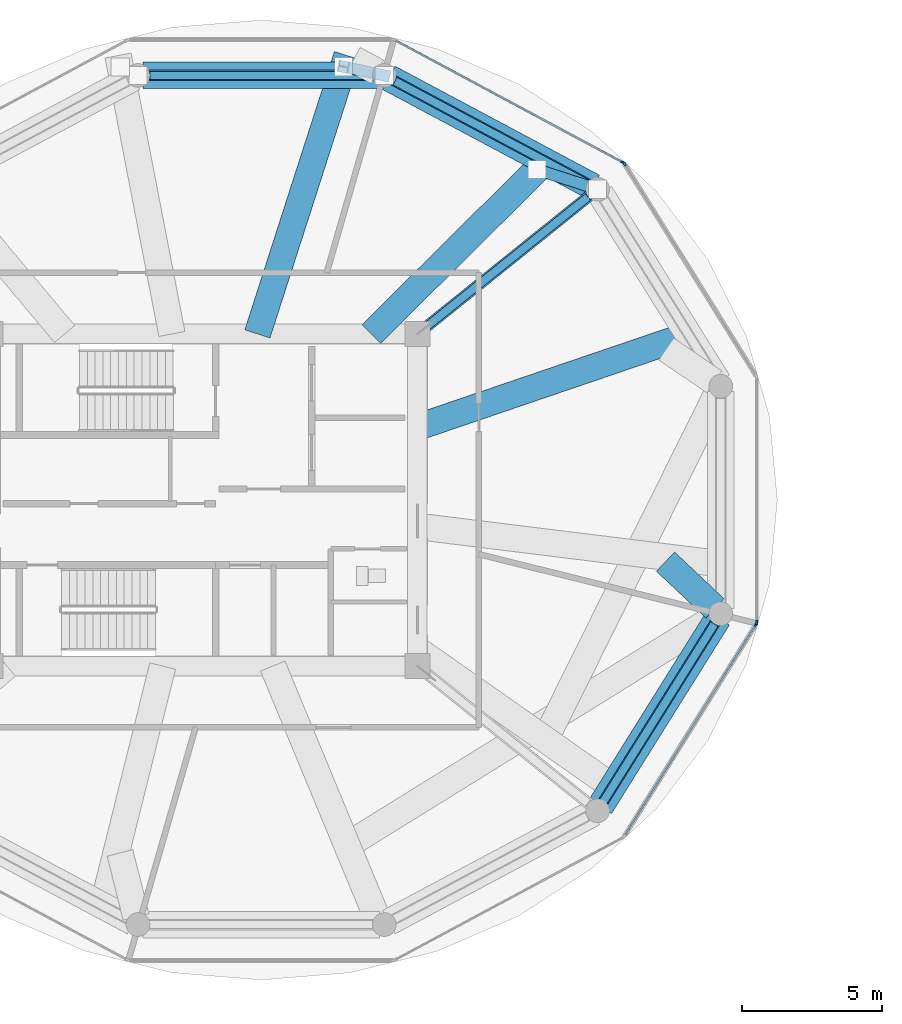
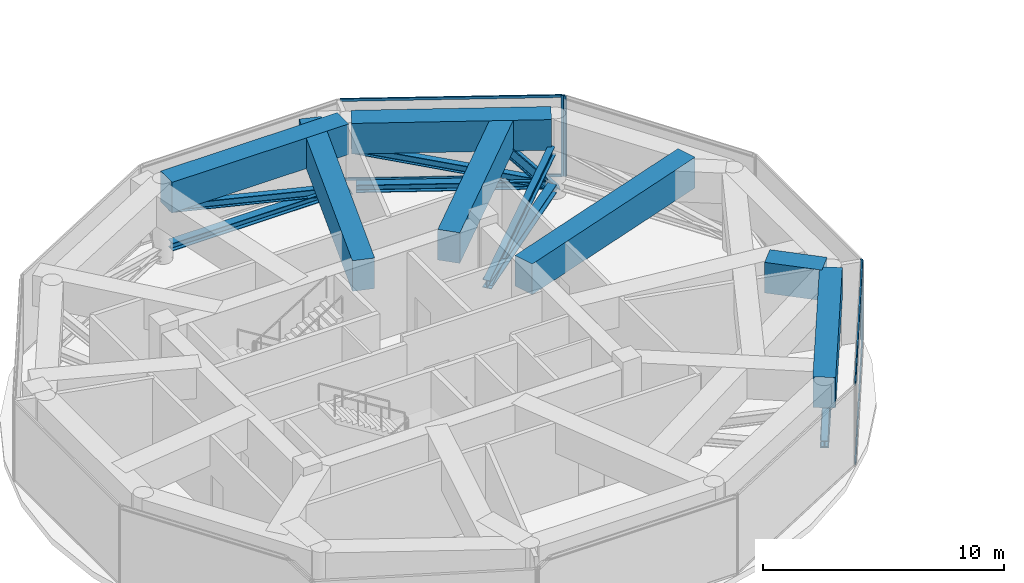
# One storey, part 5 of 23: 18 members, 7 beams, 4 elements without a shape of their own.
"""IFC4 building model written with IfcOpenShell, lengths in metres."""

from ifc_helpers import new_model, si_unit, direction, frame, origin, origin_2d, place, context, subcontext, project, spatial, rectangle, i_section, extrude, source, transform, mapped, material, layer, layer_set, material_profile, profile_set, type_object, type_shapes, element, aggregate, save


model = new_model("IFC4")

# Units and contexts
model_context = context("Model", 3, precision=1e-05, world=origin(), true_north=direction((0.0, 1.0)))
body_context = subcontext(model_context, "Body", "Model", "MODEL_VIEW")
ifc_project = project(units=[si_unit("LENGTHUNIT", "METRE"), si_unit("AREAUNIT", "SQUARE_METRE"), si_unit("VOLUMEUNIT", "CUBIC_METRE"), si_unit("PLANEANGLEUNIT", "RADIAN"), si_unit("MASSUNIT", "GRAM", prefix="KILO")], contexts=[model_context])

# Site, building, storey
site_placement = place(None, origin())
site = spatial("IfcSite", under=ifc_project, at=site_placement, CompositionType="ELEMENT")
building_placement = place(site_placement, origin())
building = spatial("IfcBuilding", under=site, at=building_placement, Name="Norrkilde Senior Care Towers", CompositionType="ELEMENT")
storey_placement = place(building_placement, frame((0.0, 0.0, 129.800048828125)))
storey = spatial("IfcBuildingStorey", under=building, at=storey_placement, Name="L40", CompositionType="ELEMENT", Elevation=129.800048828125)

# Beams
ifc_material_1 = material(Name="Concrete C60/75", Category="concrete")
ifc_material_profile_1 = material_profile(ifc_material_1, rectangle(XDim=0.949951171875, YDim=1.550048828125, at=origin_2d()), Name="RC TG 950x1550")
ifc_profile_set_1 = profile_set([ifc_material_profile_1], Name="Concrete C60/75")
beam_type = type_object("IfcBeamType", Name="Transfer Girder Zone Shift 950x1550", PredefinedType="USERDEFINED", material=ifc_profile_set_1)
shared_shape_1 = source(origin(), body_context, "Body", "SweptSolid", [
    extrude(rectangle(XDim=0.949951171875, YDim=1.550048828125, at=origin_2d()), origin(), (0.0, 0.0, 1.0), 7.966064453125),
])
beam_1_placement = place(storey_placement, frame((-13.79833984375, -10.984375, 3.304931640625), z_axis=(0.529982411064, 0.848008634368, 0.0), x_axis=(-0.848008634368, 0.529982411064, 0.0)))
element("IfcBeam", 1, at=beam_1_placement, inside=storey, type_object=beam_type, Name="L40 Drum W Zone Ring Transfer Girder 11", ObjectType="GIRDER", PredefinedType="USERDEFINED", context=body_context, shape_type="MappedRepresentation", body=[
    mapped(shared_shape_1, transform((0.0, 0.0, 0.0), x_axis=(1.0, 0.0, 0.0), y_axis=(0.0, 1.0, 0.0), z_axis=(0.0, 0.0, 1.0), scale=1.0)),
])
shared_shape_2 = source(origin(), body_context, "Body", "SweptSolid", [
    extrude(rectangle(XDim=0.949951171875, YDim=1.550048828125, at=origin_2d()), origin(), (0.0, 0.0, 1.0), 8.302490234375),
])
beam_2_placement = place(storey_placement, frame((-14.052734375, 11.2216796875, 3.304931640625), z_axis=(-0.882355383182, 0.470583656504, 0.0), x_axis=(-0.470583656504, -0.882355383182, 0.0)))
element("IfcBeam", 2, at=beam_2_placement, inside=storey, type_object=beam_type, Name="L40 Drum W Zone Ring Transfer Girder 02", ObjectType="GIRDER", PredefinedType="USERDEFINED", context=body_context, shape_type="MappedRepresentation", body=[
    mapped(shared_shape_2, transform((0.0, 0.0, 0.0), x_axis=(1.0, 0.0, 0.0), y_axis=(0.0, 1.0, 0.0), z_axis=(0.0, 0.0, 1.0), scale=1.0)),
])
shared_shape_3 = source(origin(), body_context, "Body", "SweptSolid", [
    extrude(rectangle(XDim=0.949951171875, YDim=1.550048828125, at=origin_2d()), origin(), (0.0, 0.0, 1.0), 8.4658203125),
])
beam_3_placement = place(storey_placement, frame((-21.717041015625, 15.21337890625, 3.304931640625), z_axis=(-1.0, 0.0, 0.0), x_axis=(0.0, -1.0, 0.0)))
element("IfcBeam", 3, at=beam_3_placement, inside=storey, type_object=beam_type, Name="L40 Drum W Zone Ring Transfer Girder 03", ObjectType="GIRDER", PredefinedType="USERDEFINED", context=body_context, shape_type="MappedRepresentation", body=[
    mapped(shared_shape_3, transform((0.0, 0.0, 0.0), x_axis=(1.0, 0.0, 0.0), y_axis=(0.0, 1.0, 0.0), z_axis=(0.0, 0.0, 1.0), scale=1.0)),
])
shared_shape_4 = source(origin(), body_context, "Body", "SweptSolid", [
    extrude(rectangle(XDim=0.949951171875, YDim=1.550048828125, at=origin_2d()), origin(), (0.0, 0.0, 1.0), 10.266357421875),
])
beam_4_placement = place(storey_placement, frame((-20.35009765625, 2.607177734375, 3.304931640625), z_axis=(0.946540721316, 0.32258435004, 0.0), x_axis=(-0.32258435004, 0.946540721316, 0.0)))
element("IfcBeam", 4, at=beam_4_placement, inside=storey, type_object=beam_type, Name="L40 Drum W Zone Transfer Girder 01", ObjectType="GIRDER", PredefinedType="USERDEFINED", context=body_context, shape_type="MappedRepresentation", body=[
    mapped(shared_shape_4, transform((0.0, 0.0, 0.0), x_axis=(1.0, 0.0, 0.0), y_axis=(0.0, 1.0, 0.0), z_axis=(0.0, 0.0, 1.0), scale=1.0)),
])
shared_shape_5 = source(origin(), body_context, "Body", "SweptSolid", [
    extrude(rectangle(XDim=0.949951171875, YDim=1.550048828125, at=origin_2d()), origin(), (0.0, 0.0, 1.0), 8.783203125),
])
beam_5_placement = place(storey_placement, frame((-22.001953125, 5.949951171875, 3.304931640625), z_axis=(0.7099501815, 0.704251900806, 0.0), x_axis=(-0.704251900806, 0.7099501815, 0.0)))
element("IfcBeam", 5, at=beam_5_placement, inside=storey, type_object=beam_type, Name="L40 Drum W Zone Transfer Girder 02", ObjectType="GIRDER", PredefinedType="USERDEFINED", context=body_context, shape_type="MappedRepresentation", body=[
    mapped(shared_shape_5, transform((0.0, 0.0, 0.0), x_axis=(1.0, 0.0, 0.0), y_axis=(0.0, 1.0, 0.0), z_axis=(0.0, 0.0, 1.0), scale=1.0)),
])

# Member
ifc_material_2 = material(Name="Steel S355", Category="steel")
ifc_material_profile_2 = material_profile(ifc_material_2, i_section(OverallWidth=0.412109375, OverallDepth=0.449951171875, WebThickness=0.028076171875, FlangeThickness=0.044921875, FilletRadius=0.014892578125, at=origin_2d()), Name="HD 400x509")
ifc_profile_set_2 = profile_set([ifc_material_profile_2], Name="Steel S355")
member_type_1 = type_object("IfcMemberType", Name="Pratt Bridge Truss Diagonal HD400x509", PredefinedType="BRACE", material=ifc_profile_set_2)
shared_shape_6 = source(origin(), body_context, "Body", "SweptSolid", [
    extrude(i_section(OverallWidth=0.412109375, OverallDepth=0.449951171875, WebThickness=0.028076171875, FlangeThickness=0.044921875, FilletRadius=0.014892578125, at=origin_2d()), origin(), (0.0, 0.0, 1.0), 3.51953125),
])
member_1_placement = place(storey_placement, frame((-13.893798828125, 11.136962890625, 0.14990234375), z_axis=(-0.61672748516, 0.199702893913, 0.761423642403), x_axis=(-0.308062436347, -0.951366141563, 0.0)))
element("IfcMember", 6, at=member_1_placement, inside=storey, type_object=member_type_1, Name="L40 Drum W Zone Transfer Raking Strut 02", PredefinedType="BRACE", context=body_context, shape_type="MappedRepresentation", body=[
    mapped(shared_shape_6, transform((0.0, 0.0, 0.0), x_axis=(1.0, 0.0, 0.0), y_axis=(0.0, 1.0, 0.0), z_axis=(0.0, 0.0, 1.0), scale=1.0)),
])

# Beam
shared_shape_7 = source(origin(), body_context, "Body", "SweptSolid", [
    extrude(rectangle(XDim=0.949951171875, YDim=1.550048828125, at=origin_2d()), origin(), (0.0, 0.0, 1.0), 10.48046875),
])
beam_6_placement = place(storey_placement, frame((-26.08447265625, 5.949951171875, 3.304931640625), z_axis=(0.306441217665, 0.951889583994, 0.0), x_axis=(-0.951889583994, 0.306441217665, 0.0)))
element("IfcBeam", 7, at=beam_6_placement, inside=storey, type_object=beam_type, Name="L40 Drum W Zone Transfer Girder 03", ObjectType="GIRDER", PredefinedType="USERDEFINED", context=body_context, shape_type="MappedRepresentation", body=[
    mapped(shared_shape_7, transform((0.0, 0.0, 0.0), x_axis=(1.0, 0.0, 0.0), y_axis=(0.0, 1.0, 0.0), z_axis=(0.0, 0.0, 1.0), scale=1.0)),
])

# Member
shared_shape_8 = source(origin(), body_context, "Body", "SweptSolid", [
    extrude(i_section(OverallWidth=0.412109375, OverallDepth=0.449951171875, WebThickness=0.028076171875, FlangeThickness=0.044921875, FilletRadius=0.014892578125, at=origin_2d()), origin(), (0.0, 0.0, 1.0), 3.06982421875),
])
type_shapes(member_type_1, [shared_shape_6, shared_shape_8])
member_2_placement = place(storey_placement, frame((-21.537109375, 15.21337890625, 0.14990234375), z_axis=(-0.477003120663, 0.101953651332, 0.872968198652), x_axis=(-0.209016876779, -0.977912033478, 0.0)))
element("IfcMember", 8, at=member_2_placement, inside=storey, type_object=member_type_1, Name="L40 Drum W Zone Transfer Raking Strut 03", PredefinedType="BRACE", context=body_context, shape_type="MappedRepresentation", body=[
    mapped(shared_shape_8, transform((0.0, 0.0, 0.0), x_axis=(1.0, 0.0, 0.0), y_axis=(0.0, 1.0, 0.0), z_axis=(0.0, 0.0, 1.0), scale=1.0)),
])

# Beam
shared_shape_9 = source(origin(), body_context, "Body", "SweptSolid", [
    extrude(rectangle(XDim=0.949951171875, YDim=1.550048828125, at=origin_2d()), origin(), (0.0, 0.0, 1.0), 2.4423828125),
])
type_shapes(beam_type, [shared_shape_1, shared_shape_2, shared_shape_3, shared_shape_4, shared_shape_5, shared_shape_7, shared_shape_9])
beam_7_placement = place(storey_placement, frame((-11.46142578125, -2.20849609375, 3.304931640625), z_axis=(0.727495316015, -0.686112647585, 0.0), x_axis=(0.686112647585, 0.727495316015, 0.0)))
element("IfcBeam", 9, at=beam_7_placement, inside=storey, type_object=beam_type, Name="L40 Drum W Zone Star Transfer Tie 12", ObjectType="GIRDER", PredefinedType="USERDEFINED", context=body_context, shape_type="MappedRepresentation", body=[
    mapped(shared_shape_9, transform((0.0, 0.0, 0.0), x_axis=(1.0, 0.0, 0.0), y_axis=(0.0, 1.0, 0.0), z_axis=(0.0, 0.0, 1.0), scale=1.0)),
])

# Members
ifc_material_profile_3 = material_profile(ifc_material_2, i_section(OverallWidth=0.3740234375, OverallDepth=0.386962890625, WebThickness=0.01611328125, FlangeThickness=0.027099609375, FilletRadius=0.014892578125, at=origin_2d()), Name="HD 360x262")
ifc_profile_set_3 = profile_set([ifc_material_profile_3], Name="Steel S355")
member_type_2 = type_object("IfcMemberType", Name="Belt Truss Ring Chord HD360x262", PredefinedType="CHORD", material=ifc_profile_set_3)
shared_shape_10 = source(origin(), body_context, "Body", "SweptSolid", [
    extrude(i_section(OverallWidth=0.3740234375, OverallDepth=0.386962890625, WebThickness=0.01611328125, FlangeThickness=0.027099609375, FilletRadius=0.014892578125, at=origin_2d()), origin(), (0.0, 0.0, 1.0), 7.55615234375),
])
member_3_placement = place(storey_placement, frame((-13.689697265625, -10.810546875, 0.550048828125), z_axis=(0.529981514254, 0.848009194849, 0.0), x_axis=(-0.848009194849, 0.529981514254, 0.0)))
element("IfcMember", 10, at=member_3_placement, inside=storey, type_object=member_type_2, Name="L40 Drum W Belt Truss Bottom Chord 11", PredefinedType="CHORD", context=body_context, shape_type="MappedRepresentation", body=[
    mapped(shared_shape_10, transform((0.0, 0.0, 0.0), x_axis=(1.0, 0.0, 0.0), y_axis=(0.0, 1.0, 0.0), z_axis=(0.0, 0.0, 1.0), scale=1.0)),
])
ifc_material_profile_4 = material_profile(ifc_material_2, i_section(OverallWidth=0.300048828125, OverallDepth=0.39990234375, WebThickness=0.013427734375, FlangeThickness=0.02392578125, FilletRadius=0.027099609375, at=origin_2d()), Name="HEB 400")
ifc_profile_set_4 = profile_set([ifc_material_profile_4], Name="Steel S355")
member_type_3 = type_object("IfcMemberType", Name="Belt Truss Diagonal HEB400", PredefinedType="BRACE", material=ifc_profile_set_4)
shared_shape_11 = source(origin(), body_context, "Body", "SweptSolid", [
    extrude(i_section(OverallWidth=0.300048828125, OverallDepth=0.39990234375, WebThickness=0.013427734375, FlangeThickness=0.02392578125, FilletRadius=0.027099609375, at=origin_2d()), origin(), (0.0, 0.0, 1.0), 7.798828125),
])
member_4_placement = place(storey_placement, frame((-13.689697265625, -10.810546875, 0.550048828125), z_axis=(0.513497189063, 0.821633068593, 0.247466639001), x_axis=(-0.848009194849, 0.529981514254, 0.0)))
element("IfcMember", 11, at=member_4_placement, inside=storey, type_object=member_type_3, Name="L40 Drum W Belt Truss Diagonal 11", PredefinedType="BRACE", context=body_context, shape_type="MappedRepresentation", body=[
    mapped(shared_shape_11, transform((0.0, 0.0, 0.0), x_axis=(1.0, 0.0, 0.0), y_axis=(0.0, 1.0, 0.0), z_axis=(0.0, 0.0, 1.0), scale=1.0)),
])
shared_shape_12 = source(origin(), body_context, "Body", "SweptSolid", [
    extrude(i_section(OverallWidth=0.3740234375, OverallDepth=0.386962890625, WebThickness=0.01611328125, FlangeThickness=0.027099609375, FilletRadius=0.014892578125, at=origin_2d()), origin(), (0.0, 0.0, 1.0), 7.892333984375),
])
member_5_placement = place(storey_placement, frame((-14.233642578125, 11.318115234375, 0.550048828125), z_axis=(-0.882350372282, 0.47059305194, 0.0), x_axis=(-0.47059305194, -0.882350372282, 0.0)))
element("IfcMember", 12, at=member_5_placement, inside=storey, type_object=member_type_2, Name="L40 Drum W Belt Truss Bottom Chord 02", PredefinedType="CHORD", context=body_context, shape_type="MappedRepresentation", body=[
    mapped(shared_shape_12, transform((0.0, 0.0, 0.0), x_axis=(1.0, 0.0, 0.0), y_axis=(0.0, 1.0, 0.0), z_axis=(0.0, 0.0, 1.0), scale=1.0)),
])
shared_shape_13 = source(origin(), body_context, "Body", "SweptSolid", [
    extrude(i_section(OverallWidth=0.300048828125, OverallDepth=0.39990234375, WebThickness=0.013427734375, FlangeThickness=0.02392578125, FilletRadius=0.027099609375, at=origin_2d()), origin(), (0.0, 0.0, 1.0), 8.125),
])
member_6_placement = place(storey_placement, frame((-14.233642578125, 11.318115234375, 0.550048828125), z_axis=(-0.85709731652, 0.457124578468, 0.237531702675), x_axis=(-0.47059305194, -0.882350372282, 0.0)))
element("IfcMember", 13, at=member_6_placement, inside=storey, type_object=member_type_3, Name="L40 Drum W Belt Truss Diagonal 02", PredefinedType="BRACE", context=body_context, shape_type="MappedRepresentation", body=[
    mapped(shared_shape_13, transform((0.0, 0.0, 0.0), x_axis=(1.0, 0.0, 0.0), y_axis=(0.0, 1.0, 0.0), z_axis=(0.0, 0.0, 1.0), scale=1.0)),
])
shared_shape_14 = source(origin(), body_context, "Body", "SweptSolid", [
    extrude(i_section(OverallWidth=0.3740234375, OverallDepth=0.386962890625, WebThickness=0.01611328125, FlangeThickness=0.027099609375, FilletRadius=0.014892578125, at=origin_2d()), origin(), (0.0, 0.0, 1.0), 8.0556640625),
])
type_shapes(member_type_2, [shared_shape_10, shared_shape_12, shared_shape_14])
member_7_placement = place(storey_placement, frame((-21.922119140625, 15.21337890625, 0.550048828125), z_axis=(-1.0, 0.0, 0.0), x_axis=(0.0, -1.0, 0.0)))
element("IfcMember", 14, at=member_7_placement, inside=storey, type_object=member_type_2, Name="L40 Drum W Belt Truss Bottom Chord 03", PredefinedType="CHORD", context=body_context, shape_type="MappedRepresentation", body=[
    mapped(shared_shape_14, transform((0.0, 0.0, 0.0), x_axis=(1.0, 0.0, 0.0), y_axis=(0.0, 1.0, 0.0), z_axis=(0.0, 0.0, 1.0), scale=1.0)),
])
shared_shape_15 = source(origin(), body_context, "Body", "SweptSolid", [
    extrude(i_section(OverallWidth=0.300048828125, OverallDepth=0.39990234375, WebThickness=0.013427734375, FlangeThickness=0.02392578125, FilletRadius=0.027099609375, at=origin_2d()), origin(), (0.0, 0.0, 1.0), 8.28369140625),
])
type_shapes(member_type_3, [shared_shape_11, shared_shape_13, shared_shape_15])
member_8_placement = place(storey_placement, frame((-21.922119140625, 15.21337890625, 0.550048828125), z_axis=(-0.972481125687, 0.0, 0.232981673492), x_axis=(0.0, -1.0, 0.0)))
element("IfcMember", 15, at=member_8_placement, inside=storey, type_object=member_type_3, Name="L40 Drum W Belt Truss Diagonal 03", PredefinedType="BRACE", context=body_context, shape_type="MappedRepresentation", body=[
    mapped(shared_shape_15, transform((0.0, 0.0, 0.0), x_axis=(1.0, 0.0, 0.0), y_axis=(0.0, 1.0, 0.0), z_axis=(0.0, 0.0, 1.0), scale=1.0)),
])
ifc_material_profile_5 = material_profile(ifc_material_2, i_section(OverallWidth=0.402099609375, OverallDepth=0.419921875, WebThickness=0.02001953125, FlangeThickness=0.032958984375, FilletRadius=0.014892578125, at=origin_2d()), Name="HD 400x347")
ifc_profile_set_5 = profile_set([ifc_material_profile_5], Name="Steel S355")
member_type_4 = type_object("IfcMemberType", Name="Outrigger Truss Chord HD400x347", PredefinedType="CHORD", material=ifc_profile_set_5)
shared_shape_16 = source(origin(), body_context, "Body", "SweptSolid", [
    extrude(i_section(OverallWidth=0.402099609375, OverallDepth=0.419921875, WebThickness=0.02001953125, FlangeThickness=0.032958984375, FilletRadius=0.014892578125, at=origin_2d()), origin(), (0.0, 0.0, 1.0), 7.486572265625),
])
type_shapes(member_type_4, [shared_shape_16])
member_9_placement = place(storey_placement, frame((-20.0302734375, 6.206787109375, 0.550048828125), z_axis=(0.779575464722, 0.626308306511, 0.0), x_axis=(-0.626308306511, 0.779575464722, 0.0)))
element("IfcMember", 16, at=member_9_placement, inside=storey, type_object=member_type_4, Name="L40 Drum W Outrigger Chord 3", PredefinedType="CHORD", context=body_context, shape_type="MappedRepresentation", body=[
    mapped(shared_shape_16, transform((0.0, 0.0, 0.0), x_axis=(1.0, 0.0, 0.0), y_axis=(0.0, 1.0, 0.0), z_axis=(0.0, 0.0, 1.0), scale=1.0)),
])
ifc_material_profile_6 = material_profile(ifc_material_2, i_section(OverallWidth=0.300048828125, OverallDepth=0.5, WebThickness=0.014404296875, FlangeThickness=0.028076171875, FilletRadius=0.027099609375, at=origin_2d()), Name="HEB 500")
ifc_profile_set_6 = profile_set([ifc_material_profile_6], Name="Steel S355")
member_type_5 = type_object("IfcMemberType", Name="Outrigger Truss Diagonal HEB500", PredefinedType="BRACE", material=ifc_profile_set_6)
shared_shape_17 = source(origin(), body_context, "Body", "SweptSolid", [
    extrude(i_section(OverallWidth=0.300048828125, OverallDepth=0.5, WebThickness=0.014404296875, FlangeThickness=0.028076171875, FilletRadius=0.027099609375, at=origin_2d()), origin(), (0.0, 0.0, 1.0), 7.7314453125),
])
type_shapes(member_type_5, [shared_shape_17])
member_10_placement = place(storey_placement, frame((-20.0302734375, 6.206787109375, 0.550048828125), z_axis=(0.754896761512, 0.60648151935, 0.249621806231), x_axis=(-0.626308306511, 0.779575464722, 0.0)))
element("IfcMember", 17, at=member_10_placement, inside=storey, type_object=member_type_5, Name="L40 Drum W Outrigger Diagonal 3", PredefinedType="BRACE", context=body_context, shape_type="MappedRepresentation", body=[
    mapped(shared_shape_17, transform((0.0, 0.0, 0.0), x_axis=(1.0, 0.0, 0.0), y_axis=(0.0, 1.0, 0.0), z_axis=(0.0, 0.0, 1.0), scale=1.0)),
])

# Curtain wall, member
ifc_material_3 = material(Name="Triple Low-E Insulated Glazing", Category="glass")
ifc_layer = layer(ifc_material_3, 0.18505859375)
ifc_layer_set = layer_set([ifc_layer], Name="Triple Low-E Insulated Glazing")
curtain_wall_type = type_object("IfcCurtainWallType", Name="CW6 Zone 4 Crown Pavilion Curtain Wall", PredefinedType="NOTDEFINED", material=ifc_layer_set)
curtain_wall_1_placement = place(storey_placement, origin())
curtain_wall_1 = element("IfcCurtainWall", 18, at=curtain_wall_1_placement, inside=storey, type_object=curtain_wall_type, Name="L40 Drum W Curtain Wall 00", PredefinedType="NOTDEFINED")
ifc_material_4 = material(Name="Anodised Aluminium", Category="aluminium")
ifc_material_profile_7 = material_profile(ifc_material_4, rectangle(XDim=0.070068359375, YDim=0.169921875, at=origin_2d()), Name="ALU MULL 70x170")
ifc_profile_set_7 = profile_set([ifc_material_profile_7], Name="Anodised Aluminium")
member_type_6 = type_object("IfcMemberType", Name="Curtain Wall Mullion Heavy 70x170", PredefinedType="MULLION", material=ifc_profile_set_7)
shared_shape_18 = source(origin(), body_context, "Body", "SweptSolid", [
    extrude(rectangle(XDim=0.070068359375, YDim=0.169921875, at=origin_2d()), origin(), (0.0, 0.0, 1.0), 4.079833984375),
])
type_shapes(member_type_6, [shared_shape_18])
member_11_placement = place(storey_placement, frame((-12.934814453125, 12.047607421875, 0.0), z_axis=(0.0, 0.0, 1.0), x_axis=(0.849410171862, 0.527733228002, 0.0)))
member_11 = element("IfcMember", 19, at=member_11_placement, type_object=member_type_6, Name="CW-6 mullion 1", PredefinedType="MULLION", context=body_context, shape_type="MappedRepresentation", body=[
    mapped(shared_shape_18, transform((0.0, 0.0, 0.0), x_axis=(1.0, 0.0, 0.0), y_axis=(0.0, 1.0, 0.0), z_axis=(0.0, 0.0, 1.0), scale=1.0)),
])
aggregate(curtain_wall_1, [member_11])

curtain_wall_2_placement = place(storey_placement, origin())
curtain_wall_2 = element("IfcCurtainWall", 20, at=curtain_wall_2_placement, inside=storey, type_object=curtain_wall_type, Name="L40 Drum W Curtain Wall 01", PredefinedType="NOTDEFINED")
member_12_placement = place(storey_placement, frame((-12.984130859375, 12.093994140625, 0.0), z_axis=(0.0, 0.0, 1.0), x_axis=(0.472769402511, 0.881186184668, 0.0)))
member_12 = element("IfcMember", 21, at=member_12_placement, type_object=member_type_6, Name="CW-6 mullion 2", PredefinedType="MULLION", context=body_context, shape_type="MappedRepresentation", body=[
    mapped(shared_shape_18, transform((0.0, 0.0, 0.0), x_axis=(1.0, 0.0, 0.0), y_axis=(0.0, 1.0, 0.0), z_axis=(0.0, 0.0, 1.0), scale=1.0)),
])

curtain_wall_3_placement = place(storey_placement, origin())
curtain_wall_3 = element("IfcCurtainWall", 22, at=curtain_wall_3_placement, inside=storey, type_object=curtain_wall_type, Name="L40 Drum W Curtain Wall 10", PredefinedType="NOTDEFINED")
member_13_placement = place(storey_placement, frame((-8.21484375, -4.450439453125, 0.0), z_axis=(0.0, 0.0, 1.0), x_axis=(0.849410171862, -0.527733228002, 0.0)))
member_13 = element("IfcMember", 23, at=member_13_placement, type_object=member_type_6, Name="CW-6 mullion 1", PredefinedType="MULLION", context=body_context, shape_type="MappedRepresentation", body=[
    mapped(shared_shape_18, transform((0.0, 0.0, 0.0), x_axis=(1.0, 0.0, 0.0), y_axis=(0.0, 1.0, 0.0), z_axis=(0.0, 0.0, 1.0), scale=1.0)),
])

curtain_wall_4_placement = place(storey_placement, origin())
curtain_wall_4 = element("IfcCurtainWall", 24, at=curtain_wall_4_placement, inside=storey, type_object=curtain_wall_type, Name="L40 Drum W Curtain Wall 11", PredefinedType="NOTDEFINED")
member_14_placement = place(storey_placement, frame((-8.1962890625, -4.3857421875, 0.0), z_axis=(0.0, 0.0, 1.0), x_axis=(1.0, 0.0, 0.0)))
member_14 = element("IfcMember", 25, at=member_14_placement, type_object=member_type_6, Name="CW-6 mullion 2", PredefinedType="MULLION", context=body_context, shape_type="MappedRepresentation", body=[
    mapped(shared_shape_18, transform((0.0, 0.0, 0.0), x_axis=(1.0, 0.0, 0.0), y_axis=(0.0, 1.0, 0.0), z_axis=(0.0, 0.0, 1.0), scale=1.0)),
])
aggregate(curtain_wall_4, [member_14])

# Member
ifc_material_profile_8 = material_profile(ifc_material_4, rectangle(XDim=0.06494140625, YDim=0.1298828125, at=origin_2d()), Name="ALU TRAN 65x130")
ifc_profile_set_8 = profile_set([ifc_material_profile_8], Name="Anodised Aluminium")
member_type_7 = type_object("IfcMemberType", Name="Curtain Wall Transom Heavy 65x130", PredefinedType="USERDEFINED", material=ifc_profile_set_8)
shared_shape_19 = source(origin(), body_context, "Body", "SweptSolid", [
    extrude(rectangle(XDim=0.06494140625, YDim=0.1298828125, at=origin_2d()), origin(), (0.0, 0.0, 1.0), 8.874267578125),
])
member_15_placement = place(storey_placement, frame((-8.233154296875, -4.47998046875, 0.032470703125), z_axis=(-0.527744255677, -0.849403320337, 0.0), x_axis=(0.849403320337, -0.527744255677, 0.0)))
member_15 = element("IfcMember", 26, at=member_15_placement, type_object=member_type_7, Name="CW-6 transom 1.1", ObjectType="TRANSOM", PredefinedType="USERDEFINED", context=body_context, shape_type="MappedRepresentation", body=[
    mapped(shared_shape_19, transform((0.0, 0.0, 0.0), x_axis=(1.0, 0.0, 0.0), y_axis=(0.0, 1.0, 0.0), z_axis=(0.0, 0.0, 1.0), scale=1.0)),
])

member_16_placement = place(storey_placement, frame((-8.233154296875, -4.47998046875, 4.04736328125), z_axis=(-0.527744255677, -0.849403320337, 0.0), x_axis=(0.849403320337, -0.527744255677, 0.0)))
member_16 = element("IfcMember", 27, at=member_16_placement, type_object=member_type_7, Name="CW-6 transom 1.2", ObjectType="TRANSOM", PredefinedType="USERDEFINED", context=body_context, shape_type="MappedRepresentation", body=[
    mapped(shared_shape_19, transform((0.0, 0.0, 0.0), x_axis=(1.0, 0.0, 0.0), y_axis=(0.0, 1.0, 0.0), z_axis=(0.0, 0.0, 1.0), scale=1.0)),
])

aggregate(curtain_wall_3, [member_13, member_15, member_16])

shared_shape_20 = source(origin(), body_context, "Body", "SweptSolid", [
    extrude(rectangle(XDim=0.06494140625, YDim=0.1298828125, at=origin_2d()), origin(), (0.0, 0.0, 1.0), 9.210205078125),
])
type_shapes(member_type_7, [shared_shape_19, shared_shape_20])
member_17_placement = place(storey_placement, frame((-21.131103515625, 16.46484375, 0.032470703125), z_axis=(0.881190165338, -0.472761982938, 0.0), x_axis=(0.472761982938, 0.881190165338, 0.0)))
member_17 = element("IfcMember", 28, at=member_17_placement, type_object=member_type_7, Name="CW-6 transom 1.1", ObjectType="TRANSOM", PredefinedType="USERDEFINED", context=body_context, shape_type="MappedRepresentation", body=[
    mapped(shared_shape_20, transform((0.0, 0.0, 0.0), x_axis=(1.0, 0.0, 0.0), y_axis=(0.0, 1.0, 0.0), z_axis=(0.0, 0.0, 1.0), scale=1.0)),
])

member_18_placement = place(storey_placement, frame((-21.131103515625, 16.46484375, 4.04736328125), z_axis=(0.881190165338, -0.472761982938, 0.0), x_axis=(0.472761982938, 0.881190165338, 0.0)))
member_18 = element("IfcMember", 29, at=member_18_placement, type_object=member_type_7, Name="CW-6 transom 1.2", ObjectType="TRANSOM", PredefinedType="USERDEFINED", context=body_context, shape_type="MappedRepresentation", body=[
    mapped(shared_shape_20, transform((0.0, 0.0, 0.0), x_axis=(1.0, 0.0, 0.0), y_axis=(0.0, 1.0, 0.0), z_axis=(0.0, 0.0, 1.0), scale=1.0)),
])

aggregate(curtain_wall_2, [member_12, member_17, member_18])

save(model, "model.ifc")
